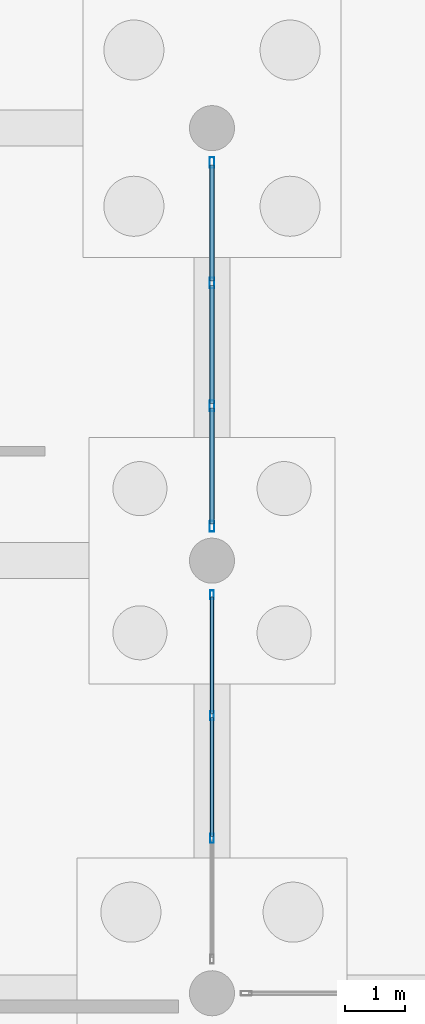
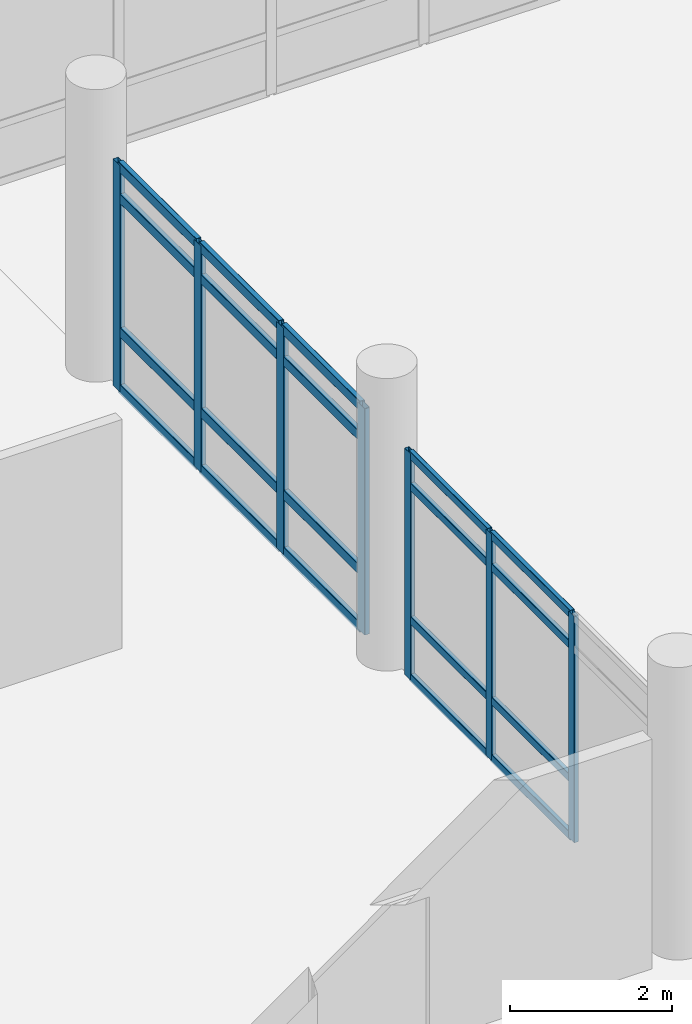
# One storey, part 99 of 196: 27 members, 2 elements without a shape of their own.
"""IFC4 building model written with IfcOpenShell, lengths in metres."""

import ifcopenshell
import ifcopenshell.guid

model = None  # the IFC model being written
_history = None  # IfcOwnerHistory: only IFC2X3 demands one
_inside = {}  # id of a spatial element -> (the spatial element, [elements in it])
_under = {}  # id of a project, library or spatial element -> (it, [spatial elements below it])
_declared = {}  # id of a project -> (the project, [libraries it declares])
_typed = {}  # id of a type object -> (the type object, [elements of that type])
_made_of = {}  # id of a material, layer set ... -> (it, [elements and type objects made of it])


def new_model(schema):
    """Start an empty IFC model of exactly this schema.

    Asked for "IFC4X3", IfcOpenShell would pick the latest addendum, in which some entities
    have other attributes; the version numbers below select the first issue.
    IFC2X3 requires an IfcOwnerHistory on every rooted entity: one is made here for all.
    """
    global model, _history
    if schema == "IFC4X3":
        model = ifcopenshell.file(schema_version=(4, 3, 0, 0))
    else:
        model = ifcopenshell.file(schema=schema)
    _inside.clear()
    _under.clear()
    _declared.clear()
    _typed.clear()
    _made_of.clear()
    _history = None
    if model.schema == "IFC2X3":
        org = make("IfcOrganization", Name="unknown")
        user = make(
            "IfcPersonAndOrganization",
            ThePerson=make("IfcPerson", FamilyName="unknown"),
            TheOrganization=org,
        )
        app = make(
            "IfcApplication",
            ApplicationDeveloper=org,
            Version="unknown",
            ApplicationFullName="unknown",
            ApplicationIdentifier="unknown",
        )
        _history = make(
            "IfcOwnerHistory",
            OwningUser=user,
            OwningApplication=app,
            ChangeAction="ADDED",
            CreationDate=0,
        )
    return model


def make(cls, **values):
    """One entity of the class cls with the attributes given. An attribute that is None is left unset."""
    return model.create_entity(
        cls, **{name: value for name, value in values.items() if value is not None}
    )


def rooted(cls, **values):
    """An entity with a GlobalId (a new one), such as an element, a storey or a relation."""
    return make(cls, GlobalId=ifcopenshell.guid.new(), OwnerHistory=_history, **values)


def si_unit(unit_type, name, prefix=None):
    """IfcSIUnit, for example si_unit("LENGTHUNIT", "METRE", prefix="MILLI")."""
    return make("IfcSIUnit", UnitType=unit_type, Prefix=prefix, Name=name)


def assignment(units):
    """IfcUnitAssignment: the units of a project."""
    return None if units is None else make("IfcUnitAssignment", Units=units)


def point(xyz):
    """IfcCartesianPoint."""
    return None if xyz is None else make("IfcCartesianPoint", Coordinates=xyz)


def direction(xyz):
    """IfcDirection."""
    return None if xyz is None else make("IfcDirection", DirectionRatios=xyz)


def frame(location, z_axis=None, x_axis=None):
    """IfcAxis2Placement3D, a coordinate frame: its origin and axes. An axis left out is left unset."""
    return make(
        "IfcAxis2Placement3D",
        Location=point(location),
        Axis=direction(z_axis),
        RefDirection=direction(x_axis),
    )


def frame_2d(location, x_axis=None):
    """IfcAxis2Placement2D, a coordinate frame in the plane: its origin and x axis."""
    return make(
        "IfcAxis2Placement2D", Location=point(location), RefDirection=direction(x_axis)
    )


def origin():
    """The frame at (0, 0, 0) with its axes left unset."""
    return frame((0.0, 0.0, 0.0))


def origin_2d():
    """The frame at (0, 0) in the plane with its x axis left unset."""
    return frame_2d((0.0, 0.0))


def place(relative_to, where):
    """IfcLocalPlacement: puts the frame where relative to a parent placement (None: the world)."""
    return make(
        "IfcLocalPlacement", PlacementRelTo=relative_to, RelativePlacement=where
    )


def context(
    kind, dimensions, precision=None, world=None, true_north=None, identifier=None
):
    """IfcGeometricRepresentationContext, for example the 3D "Model" context."""
    return make(
        "IfcGeometricRepresentationContext",
        ContextIdentifier=identifier,
        ContextType=kind,
        CoordinateSpaceDimension=dimensions,
        Precision=precision,
        WorldCoordinateSystem=world,
        TrueNorth=true_north,
    )


def subcontext(parent, identifier, kind, view, scale=None):
    """IfcGeometricRepresentationSubContext, for example "Body" below "Model"."""
    return make(
        "IfcGeometricRepresentationSubContext",
        ContextIdentifier=identifier,
        ContextType=kind,
        ParentContext=parent,
        TargetScale=scale,
        TargetView=view,
    )


def project(units=None, contexts=None):
    """IfcProject with its units and contexts."""
    return rooted(
        "IfcProject",
        Name="project",
        RepresentationContexts=contexts,
        UnitsInContext=assignment(units),
    )


def spatial(cls, under=None, at=None, **own):
    """A site, building, storey or space (cls), placed at a placement, below another one or the project."""
    s = rooted(cls, ObjectPlacement=at, **own)
    if under is not None:
        _under.setdefault(under.id(), (under, []))[1].append(s)
    return s


def profile(cls, at=None, kind="AREA", **sizes):
    """A parametric profile (cls). Its sizes go by their IFC names, for example OverallWidth=200.0."""
    return make(cls, ProfileType=kind, Position=at, **sizes)


def hollow_rectangle(**sizes):
    """IfcRectangleHollowProfileDef."""
    return profile("IfcRectangleHollowProfileDef", **sizes)


def extrude(swept, where, along, depth):
    """IfcExtrudedAreaSolid: the profile swept, set in the frame where, extruded along a direction by depth."""
    return make(
        "IfcExtrudedAreaSolid",
        SweptArea=swept,
        Position=where,
        ExtrudedDirection=direction(along),
        Depth=depth,
    )


def shape(context_of_items, identifier, shape_type, items):
    """IfcShapeRepresentation: the items that make up one representation, for example the "Body"."""
    return make(
        "IfcShapeRepresentation",
        ContextOfItems=context_of_items,
        RepresentationIdentifier=identifier,
        RepresentationType=shape_type,
        Items=items,
    )


def material(Name=None, Category=None):
    """IfcMaterial."""
    return make("IfcMaterial", Name=Name, Category=Category)


def layer(
    of_material, thickness, ventilated=None, Name=None, Category=None, Priority=None
):
    """IfcMaterialLayer: one layer of a wall or slab, of a material (None: an air gap)."""
    return make(
        "IfcMaterialLayer",
        Material=of_material,
        LayerThickness=thickness,
        IsVentilated=ventilated,
        Name=Name,
        Category=Category,
        Priority=Priority,
    )


def layer_set(layers, Name=None):
    """IfcMaterialLayerSet."""
    return make("IfcMaterialLayerSet", MaterialLayers=layers, LayerSetName=Name)


def material_profile(
    of_material, cross_section, Name=None, Category=None, Priority=None
):
    """IfcMaterialProfile: a cross section and its material."""
    return make(
        "IfcMaterialProfile",
        Name=Name,
        Material=of_material,
        Profile=cross_section,
        Priority=Priority,
        Category=Category,
    )


def profile_set(profiles, Name=None, composite=None):
    """IfcMaterialProfileSet."""
    return make(
        "IfcMaterialProfileSet",
        Name=Name,
        MaterialProfiles=profiles,
        CompositeProfile=composite,
    )


def made_of(thing, what):
    """Note that an element or type object is made of a material, layer set ...; save() writes the relation."""
    if what is not None:
        _made_of.setdefault(what.id(), (what, []))[1].append(thing)
    return thing


def type_object(cls, material=None, **own):
    """A type object (cls), such as IfcWallType, which elements share."""
    return made_of(rooted(cls, **own), material)


def element(
    cls,
    number,
    at=None,
    inside=None,
    cuts=None,
    type_object=None,
    material=None,
    context=None,
    identifier="Body",
    shape_type=None,
    held_by="IfcProductDefinitionShape",
    body=None,
    shapes=None,
    **own,
):
    """One element of the class cls, such as IfcWall. Its Tag is "e" and its number.

    at: its placement. inside: the storey or other place that contains it. cuts: it is an
    opening in that element (IfcRelVoidsElement). A single representation is given by context,
    identifier, shape_type and body (its items); several are given by shapes. held_by: the class
    of the entity that holds the representations. save() writes the other relations.
    """
    e = rooted(cls, Tag="e%d" % number, ObjectPlacement=at, **own)
    if body is not None:
        shapes = [shape(context, identifier, shape_type, body)]
    if shapes is not None:
        e.Representation = make(held_by, Representations=shapes)
    if inside is not None:
        _inside.setdefault(inside.id(), (inside, []))[1].append(e)
    if cuts is not None:
        rooted(
            "IfcRelVoidsElement", RelatingBuildingElement=cuts, RelatedOpeningElement=e
        )
    if type_object is not None:
        _typed.setdefault(type_object.id(), (type_object, []))[1].append(e)
    return made_of(e, material)


def aggregate(whole, parts):
    """IfcRelAggregates: a whole, such as a stair, and the parts it consists of."""
    return rooted("IfcRelAggregates", RelatingObject=whole, RelatedObjects=parts)


def save(model, path):
    """Write the relations noted so far, then the file.

    IfcRelAggregates (storeys below a building ...), IfcRelContainedInSpatialStructure (elements
    in a storey), IfcRelDefinesByType, IfcRelAssociatesMaterial and IfcRelDeclares: one each for
    every whole, place, type object, material and project.
    """
    for whole, parts in _under.values():
        aggregate(whole, parts)
    for where, things in _inside.values():
        rooted(
            "IfcRelContainedInSpatialStructure",
            RelatedElements=things,
            RelatingStructure=where,
        )
    for kind, things in _typed.values():
        rooted("IfcRelDefinesByType", RelatedObjects=things, RelatingType=kind)
    for what, things in _made_of.values():
        rooted("IfcRelAssociatesMaterial", RelatedObjects=things, RelatingMaterial=what)
    for by, libraries in _declared.values():
        rooted("IfcRelDeclares", RelatingContext=by, RelatedDefinitions=libraries)
    model.write(path)


model = new_model("IFC4")

# Units and contexts
model_context = context("Model", 3, precision=1e-05, world=origin(), true_north=direction((0.0, 1.0)))
body_context = subcontext(model_context, "Body", "Model", "MODEL_VIEW")
ifc_project = project(units=[si_unit("LENGTHUNIT", "METRE"), si_unit("AREAUNIT", "SQUARE_METRE"), si_unit("VOLUMEUNIT", "CUBIC_METRE"), si_unit("PLANEANGLEUNIT", "RADIAN"), si_unit("MASSUNIT", "GRAM", prefix="KILO")], contexts=[model_context])

# Site, building, storey
site_placement = place(None, origin())
site = spatial("IfcSite", under=ifc_project, at=site_placement, CompositionType="ELEMENT")
building_placement = place(site_placement, origin())
building = spatial("IfcBuilding", under=site, at=building_placement, Name="Asteropetra Specialist Clinic", CompositionType="ELEMENT")
storey_placement = place(building_placement, origin())
storey = spatial("IfcBuildingStorey", under=building, at=storey_placement, Name="L00", CompositionType="ELEMENT", Elevation=0.0)

# Curtain wall, members
ifc_material_1 = material(Name="Aluminium and low-E glass", Category="aluminium")
ifc_layer_1 = layer(ifc_material_1, 0.14990234375)
ifc_layer_set_1 = layer_set([ifc_layer_1], Name="Aluminium and low-E glass")
curtain_wall_type_1 = type_object("IfcCurtainWallType", Name="CW-SYS-05", PredefinedType="USERDEFINED", material=ifc_layer_set_1)
curtain_wall_1_placement = place(storey_placement, origin())
curtain_wall_1 = element("IfcCurtainWall", 1, at=curtain_wall_1_placement, inside=storey, type_object=curtain_wall_type_1, Name="Curtain Wall CW-013", ObjectType="UNITISED CURTAIN WALL", PredefinedType="USERDEFINED")
ifc_material_2 = material(Name="Aluminium 6063-T6", Category="aluminium")
ifc_material_profile_1 = material_profile(ifc_material_2, hollow_rectangle(XDim=0.06494140625, YDim=0.14990234375, WallThickness=0.00390625, InnerFilletRadius=0.00390625, OuterFilletRadius=0.008056640625, at=origin_2d()), Name="MUL 150x65x4.0")
ifc_profile_set_1 = profile_set([ifc_material_profile_1], Name="Aluminium 6063-T6")
member_type_1 = type_object("IfcMemberType", Name="CWM-150x65", PredefinedType="MULLION", material=ifc_profile_set_1)
member_1_placement = place(storey_placement, frame((48.0, 83.4326171875, 0.0), z_axis=(0.0, 0.0, 1.0), x_axis=(1.0, 0.0, 0.0)))
member_1 = element("IfcMember", 2, at=member_1_placement, type_object=member_type_1, Name="CW-013 mullion 1", PredefinedType="MULLION", context=body_context, shape_type="SweptSolid", body=[
    extrude(hollow_rectangle(XDim=0.06494140625, YDim=0.14990234375, WallThickness=0.00390625, InnerFilletRadius=0.00390625, OuterFilletRadius=0.008056640625, at=origin_2d()), origin(), (0.0, 0.0, 1.0), 3.419921875),
])
member_2_placement = place(storey_placement, frame((48.0, 81.421630859375, 0.0), z_axis=(0.0, 0.0, 1.0), x_axis=(1.0, 0.0, 0.0)))
member_2 = element("IfcMember", 3, at=member_2_placement, type_object=member_type_1, Name="CW-013 mullion 2", PredefinedType="MULLION", context=body_context, shape_type="SweptSolid", body=[
    extrude(hollow_rectangle(XDim=0.06494140625, YDim=0.14990234375, WallThickness=0.00390625, InnerFilletRadius=0.00390625, OuterFilletRadius=0.008056640625, at=origin_2d()), origin(), (0.0, 0.0, 1.0), 3.419921875),
])
member_3_placement = place(storey_placement, frame((48.0, 79.37841796875, 0.0), z_axis=(0.0, 0.0, 1.0), x_axis=(1.0, 0.0, 0.0)))
member_3 = element("IfcMember", 4, at=member_3_placement, type_object=member_type_1, Name="CW-013 mullion 3", PredefinedType="MULLION", context=body_context, shape_type="SweptSolid", body=[
    extrude(hollow_rectangle(XDim=0.06494140625, YDim=0.14990234375, WallThickness=0.00390625, InnerFilletRadius=0.00390625, OuterFilletRadius=0.008056640625, at=origin_2d()), origin(), (0.0, 0.0, 1.0), 3.419921875),
])

ifc_material_3 = material(Name="Aluminium and low-E glass", Category="aluminium")
ifc_layer_2 = layer(ifc_material_3, 0.135009765625)
ifc_layer_set_2 = layer_set([ifc_layer_2], Name="Aluminium and low-E glass")
curtain_wall_type_2 = type_object("IfcCurtainWallType", Name="CW-SYS-06", PredefinedType="USERDEFINED", material=ifc_layer_set_2)
curtain_wall_2_placement = place(storey_placement, origin())
curtain_wall_2 = element("IfcCurtainWall", 5, at=curtain_wall_2_placement, inside=storey, type_object=curtain_wall_type_2, Name="Curtain Wall CW-015", ObjectType="UNITISED CURTAIN WALL", PredefinedType="USERDEFINED")
ifc_material_4 = material(Name="Aluminium 6063-T6", Category="aluminium")
ifc_material_profile_2 = material_profile(ifc_material_4, hollow_rectangle(XDim=0.074951171875, YDim=0.179931640625, WallThickness=0.00390625, InnerFilletRadius=0.00390625, OuterFilletRadius=0.008056640625, at=origin_2d()), Name="MUL 180x75x4.0")
ifc_profile_set_2 = profile_set([ifc_material_profile_2], Name="Aluminium 6063-T6")
member_type_2 = type_object("IfcMemberType", Name="CWM-180x75", PredefinedType="MULLION", material=ifc_profile_set_2)
member_4_placement = place(storey_placement, frame((48.0, 90.62744140625, 0.0), z_axis=(0.0, 0.0, 1.0), x_axis=(1.0, 0.0, 0.0)))
member_4 = element("IfcMember", 6, at=member_4_placement, type_object=member_type_2, Name="CW-015 mullion 1", PredefinedType="MULLION", context=body_context, shape_type="SweptSolid", body=[
    extrude(hollow_rectangle(XDim=0.074951171875, YDim=0.179931640625, WallThickness=0.00390625, InnerFilletRadius=0.00390625, OuterFilletRadius=0.008056640625, at=origin_2d()), origin(), (0.0, 0.0, 1.0), 3.419921875),
])
member_5_placement = place(storey_placement, frame((48.0, 88.62158203125, 0.0), z_axis=(0.0, 0.0, 1.0), x_axis=(1.0, 0.0, 0.0)))
member_5 = element("IfcMember", 7, at=member_5_placement, type_object=member_type_2, Name="CW-015 mullion 2", PredefinedType="MULLION", context=body_context, shape_type="SweptSolid", body=[
    extrude(hollow_rectangle(XDim=0.074951171875, YDim=0.179931640625, WallThickness=0.00390625, InnerFilletRadius=0.00390625, OuterFilletRadius=0.008056640625, at=origin_2d()), origin(), (0.0, 0.0, 1.0), 3.419921875),
])
member_6_placement = place(storey_placement, frame((48.0, 86.578369140625, 0.0), z_axis=(0.0, 0.0, 1.0), x_axis=(1.0, 0.0, 0.0)))
member_6 = element("IfcMember", 8, at=member_6_placement, type_object=member_type_2, Name="CW-015 mullion 3", PredefinedType="MULLION", context=body_context, shape_type="SweptSolid", body=[
    extrude(hollow_rectangle(XDim=0.074951171875, YDim=0.179931640625, WallThickness=0.00390625, InnerFilletRadius=0.00390625, OuterFilletRadius=0.008056640625, at=origin_2d()), origin(), (0.0, 0.0, 1.0), 3.419921875),
])
member_7_placement = place(storey_placement, frame((48.0, 84.572509765625, 0.0), z_axis=(0.0, 0.0, 1.0), x_axis=(1.0, 0.0, 0.0)))
member_7 = element("IfcMember", 9, at=member_7_placement, type_object=member_type_2, Name="CW-015 mullion 4", PredefinedType="MULLION", context=body_context, shape_type="SweptSolid", body=[
    extrude(hollow_rectangle(XDim=0.074951171875, YDim=0.179931640625, WallThickness=0.00390625, InnerFilletRadius=0.00390625, OuterFilletRadius=0.008056640625, at=origin_2d()), origin(), (0.0, 0.0, 1.0), 3.419921875),
])

# Member
ifc_material_5 = material(Name="Aluminium 6063-T6", Category="aluminium")
ifc_material_profile_3 = material_profile(ifc_material_5, hollow_rectangle(XDim=0.06494140625, YDim=0.1201171875, WallThickness=0.00390625, InnerFilletRadius=0.00390625, OuterFilletRadius=0.008056640625, at=origin_2d()), Name="TRN 120x65x4.0")
ifc_profile_set_3 = profile_set([ifc_material_profile_3], Name="Aluminium 6063-T6")
member_type_3 = type_object("IfcMemberType", Name="CWT-120x65", PredefinedType="USERDEFINED", material=ifc_profile_set_3)
member_8_placement = place(storey_placement, frame((48.0, 83.39990234375, 0.032470703125), z_axis=(0.0, -1.0, 0.0), x_axis=(1.0, 0.0, 0.0)))
member_8 = element("IfcMember", 10, at=member_8_placement, type_object=member_type_3, Name="CW-013 transom 1.1", ObjectType="TRANSOM", PredefinedType="USERDEFINED", context=body_context, shape_type="SweptSolid", body=[
    extrude(hollow_rectangle(XDim=0.06494140625, YDim=0.1201171875, WallThickness=0.00390625, InnerFilletRadius=0.00390625, OuterFilletRadius=0.008056640625, at=origin_2d()), origin(), (0.0, 0.0, 1.0), 1.94580078125),
])

member_9_placement = place(storey_placement, frame((48.0, 83.39990234375, 0.89990234375), z_axis=(0.0, -1.0, 0.0), x_axis=(1.0, 0.0, 0.0)))
member_9 = element("IfcMember", 11, at=member_9_placement, type_object=member_type_3, Name="CW-013 transom 1.2", ObjectType="TRANSOM", PredefinedType="USERDEFINED", context=body_context, shape_type="SweptSolid", body=[
    extrude(hollow_rectangle(XDim=0.06494140625, YDim=0.1201171875, WallThickness=0.00390625, InnerFilletRadius=0.00390625, OuterFilletRadius=0.008056640625, at=origin_2d()), origin(), (0.0, 0.0, 1.0), 1.94580078125),
])

member_10_placement = place(storey_placement, frame((48.0, 83.39990234375, 2.919921875), z_axis=(0.0, -1.0, 0.0), x_axis=(1.0, 0.0, 0.0)))
member_10 = element("IfcMember", 12, at=member_10_placement, type_object=member_type_3, Name="CW-013 transom 1.3", ObjectType="TRANSOM", PredefinedType="USERDEFINED", context=body_context, shape_type="SweptSolid", body=[
    extrude(hollow_rectangle(XDim=0.06494140625, YDim=0.1201171875, WallThickness=0.00390625, InnerFilletRadius=0.00390625, OuterFilletRadius=0.008056640625, at=origin_2d()), origin(), (0.0, 0.0, 1.0), 1.94580078125),
])

member_11_placement = place(storey_placement, frame((48.0, 83.39990234375, 3.387451171875), z_axis=(0.0, -1.0, 0.0), x_axis=(1.0, 0.0, 0.0)))
member_11 = element("IfcMember", 13, at=member_11_placement, type_object=member_type_3, Name="CW-013 transom 1.4", ObjectType="TRANSOM", PredefinedType="USERDEFINED", context=body_context, shape_type="SweptSolid", body=[
    extrude(hollow_rectangle(XDim=0.06494140625, YDim=0.1201171875, WallThickness=0.00390625, InnerFilletRadius=0.00390625, OuterFilletRadius=0.008056640625, at=origin_2d()), origin(), (0.0, 0.0, 1.0), 1.94580078125),
])

member_12_placement = place(storey_placement, frame((48.0, 81.38916015625, 0.032470703125), z_axis=(0.0, -1.0, 0.0), x_axis=(1.0, 0.0, 0.0)))
member_12 = element("IfcMember", 14, at=member_12_placement, type_object=member_type_3, Name="CW-013 transom 2.1", ObjectType="TRANSOM", PredefinedType="USERDEFINED", context=body_context, shape_type="SweptSolid", body=[
    extrude(hollow_rectangle(XDim=0.06494140625, YDim=0.1201171875, WallThickness=0.00390625, InnerFilletRadius=0.00390625, OuterFilletRadius=0.008056640625, at=origin_2d()), origin(), (0.0, 0.0, 1.0), 1.978271484375),
])

member_13_placement = place(storey_placement, frame((48.0, 81.38916015625, 0.89990234375), z_axis=(0.0, -1.0, 0.0), x_axis=(1.0, 0.0, 0.0)))
member_13 = element("IfcMember", 15, at=member_13_placement, type_object=member_type_3, Name="CW-013 transom 2.2", ObjectType="TRANSOM", PredefinedType="USERDEFINED", context=body_context, shape_type="SweptSolid", body=[
    extrude(hollow_rectangle(XDim=0.06494140625, YDim=0.1201171875, WallThickness=0.00390625, InnerFilletRadius=0.00390625, OuterFilletRadius=0.008056640625, at=origin_2d()), origin(), (0.0, 0.0, 1.0), 1.978271484375),
])

member_14_placement = place(storey_placement, frame((48.0, 81.38916015625, 2.919921875), z_axis=(0.0, -1.0, 0.0), x_axis=(1.0, 0.0, 0.0)))
member_14 = element("IfcMember", 16, at=member_14_placement, type_object=member_type_3, Name="CW-013 transom 2.3", ObjectType="TRANSOM", PredefinedType="USERDEFINED", context=body_context, shape_type="SweptSolid", body=[
    extrude(hollow_rectangle(XDim=0.06494140625, YDim=0.1201171875, WallThickness=0.00390625, InnerFilletRadius=0.00390625, OuterFilletRadius=0.008056640625, at=origin_2d()), origin(), (0.0, 0.0, 1.0), 1.978271484375),
])

member_15_placement = place(storey_placement, frame((48.0, 81.38916015625, 3.387451171875), z_axis=(0.0, -1.0, 0.0), x_axis=(1.0, 0.0, 0.0)))
member_15 = element("IfcMember", 17, at=member_15_placement, type_object=member_type_3, Name="CW-013 transom 2.4", ObjectType="TRANSOM", PredefinedType="USERDEFINED", context=body_context, shape_type="SweptSolid", body=[
    extrude(hollow_rectangle(XDim=0.06494140625, YDim=0.1201171875, WallThickness=0.00390625, InnerFilletRadius=0.00390625, OuterFilletRadius=0.008056640625, at=origin_2d()), origin(), (0.0, 0.0, 1.0), 1.978271484375),
])

aggregate(curtain_wall_1, [member_1, member_2, member_3, member_8, member_9, member_10, member_11, member_12, member_13, member_14, member_15])

ifc_material_6 = material(Name="Aluminium 6063-T6", Category="aluminium")
ifc_material_profile_4 = material_profile(ifc_material_6, hollow_rectangle(XDim=0.074951171875, YDim=0.14990234375, WallThickness=0.00390625, InnerFilletRadius=0.00390625, OuterFilletRadius=0.008056640625, at=origin_2d()), Name="TRN 150x75x4.0")
ifc_profile_set_4 = profile_set([ifc_material_profile_4], Name="Aluminium 6063-T6")
member_type_4 = type_object("IfcMemberType", Name="CWT-150x75", PredefinedType="USERDEFINED", material=ifc_profile_set_4)
member_16_placement = place(storey_placement, frame((48.0, 90.590087890625, 0.03759765625), z_axis=(0.0, -1.0, 0.0), x_axis=(1.0, 0.0, 0.0)))
member_16 = element("IfcMember", 18, at=member_16_placement, type_object=member_type_4, Name="CW-015 transom 1.1", ObjectType="TRANSOM", PredefinedType="USERDEFINED", context=body_context, shape_type="SweptSolid", body=[
    extrude(hollow_rectangle(XDim=0.074951171875, YDim=0.14990234375, WallThickness=0.00390625, InnerFilletRadius=0.00390625, OuterFilletRadius=0.008056640625, at=origin_2d()), origin(), (0.0, 0.0, 1.0), 1.930908203125),
])

member_17_placement = place(storey_placement, frame((48.0, 90.590087890625, 0.89990234375), z_axis=(0.0, -1.0, 0.0), x_axis=(1.0, 0.0, 0.0)))
member_17 = element("IfcMember", 19, at=member_17_placement, type_object=member_type_4, Name="CW-015 transom 1.2", ObjectType="TRANSOM", PredefinedType="USERDEFINED", context=body_context, shape_type="SweptSolid", body=[
    extrude(hollow_rectangle(XDim=0.074951171875, YDim=0.14990234375, WallThickness=0.00390625, InnerFilletRadius=0.00390625, OuterFilletRadius=0.008056640625, at=origin_2d()), origin(), (0.0, 0.0, 1.0), 1.930908203125),
])

member_18_placement = place(storey_placement, frame((48.0, 90.590087890625, 2.919921875), z_axis=(0.0, -1.0, 0.0), x_axis=(1.0, 0.0, 0.0)))
member_18 = element("IfcMember", 20, at=member_18_placement, type_object=member_type_4, Name="CW-015 transom 1.3", ObjectType="TRANSOM", PredefinedType="USERDEFINED", context=body_context, shape_type="SweptSolid", body=[
    extrude(hollow_rectangle(XDim=0.074951171875, YDim=0.14990234375, WallThickness=0.00390625, InnerFilletRadius=0.00390625, OuterFilletRadius=0.008056640625, at=origin_2d()), origin(), (0.0, 0.0, 1.0), 1.930908203125),
])

member_19_placement = place(storey_placement, frame((48.0, 90.590087890625, 3.382568359375), z_axis=(0.0, -1.0, 0.0), x_axis=(1.0, 0.0, 0.0)))
member_19 = element("IfcMember", 21, at=member_19_placement, type_object=member_type_4, Name="CW-015 transom 1.4", ObjectType="TRANSOM", PredefinedType="USERDEFINED", context=body_context, shape_type="SweptSolid", body=[
    extrude(hollow_rectangle(XDim=0.074951171875, YDim=0.14990234375, WallThickness=0.00390625, InnerFilletRadius=0.00390625, OuterFilletRadius=0.008056640625, at=origin_2d()), origin(), (0.0, 0.0, 1.0), 1.930908203125),
])

member_20_placement = place(storey_placement, frame((48.0, 88.584228515625, 0.03759765625), z_axis=(0.0, -1.0, 0.0), x_axis=(1.0, 0.0, 0.0)))
member_20 = element("IfcMember", 22, at=member_20_placement, type_object=member_type_4, Name="CW-015 transom 2.1", ObjectType="TRANSOM", PredefinedType="USERDEFINED", context=body_context, shape_type="SweptSolid", body=[
    extrude(hollow_rectangle(XDim=0.074951171875, YDim=0.14990234375, WallThickness=0.00390625, InnerFilletRadius=0.00390625, OuterFilletRadius=0.008056640625, at=origin_2d()), origin(), (0.0, 0.0, 1.0), 1.968505859375),
])

member_21_placement = place(storey_placement, frame((48.0, 88.584228515625, 0.89990234375), z_axis=(0.0, -1.0, 0.0), x_axis=(1.0, 0.0, 0.0)))
member_21 = element("IfcMember", 23, at=member_21_placement, type_object=member_type_4, Name="CW-015 transom 2.2", ObjectType="TRANSOM", PredefinedType="USERDEFINED", context=body_context, shape_type="SweptSolid", body=[
    extrude(hollow_rectangle(XDim=0.074951171875, YDim=0.14990234375, WallThickness=0.00390625, InnerFilletRadius=0.00390625, OuterFilletRadius=0.008056640625, at=origin_2d()), origin(), (0.0, 0.0, 1.0), 1.968505859375),
])

member_22_placement = place(storey_placement, frame((48.0, 88.584228515625, 2.919921875), z_axis=(0.0, -1.0, 0.0), x_axis=(1.0, 0.0, 0.0)))
member_22 = element("IfcMember", 24, at=member_22_placement, type_object=member_type_4, Name="CW-015 transom 2.3", ObjectType="TRANSOM", PredefinedType="USERDEFINED", context=body_context, shape_type="SweptSolid", body=[
    extrude(hollow_rectangle(XDim=0.074951171875, YDim=0.14990234375, WallThickness=0.00390625, InnerFilletRadius=0.00390625, OuterFilletRadius=0.008056640625, at=origin_2d()), origin(), (0.0, 0.0, 1.0), 1.968505859375),
])

member_23_placement = place(storey_placement, frame((48.0, 88.584228515625, 3.382568359375), z_axis=(0.0, -1.0, 0.0), x_axis=(1.0, 0.0, 0.0)))
member_23 = element("IfcMember", 25, at=member_23_placement, type_object=member_type_4, Name="CW-015 transom 2.4", ObjectType="TRANSOM", PredefinedType="USERDEFINED", context=body_context, shape_type="SweptSolid", body=[
    extrude(hollow_rectangle(XDim=0.074951171875, YDim=0.14990234375, WallThickness=0.00390625, InnerFilletRadius=0.00390625, OuterFilletRadius=0.008056640625, at=origin_2d()), origin(), (0.0, 0.0, 1.0), 1.968505859375),
])

member_24_placement = place(storey_placement, frame((48.0, 86.540771484375, 0.03759765625), z_axis=(0.0, -1.0, 0.0), x_axis=(1.0, 0.0, 0.0)))
member_24 = element("IfcMember", 26, at=member_24_placement, type_object=member_type_4, Name="CW-015 transom 3.1", ObjectType="TRANSOM", PredefinedType="USERDEFINED", context=body_context, shape_type="SweptSolid", body=[
    extrude(hollow_rectangle(XDim=0.074951171875, YDim=0.14990234375, WallThickness=0.00390625, InnerFilletRadius=0.00390625, OuterFilletRadius=0.008056640625, at=origin_2d()), origin(), (0.0, 0.0, 1.0), 1.9306640625),
])

member_25_placement = place(storey_placement, frame((48.0, 86.540771484375, 0.89990234375), z_axis=(0.0, -1.0, 0.0), x_axis=(1.0, 0.0, 0.0)))
member_25 = element("IfcMember", 27, at=member_25_placement, type_object=member_type_4, Name="CW-015 transom 3.2", ObjectType="TRANSOM", PredefinedType="USERDEFINED", context=body_context, shape_type="SweptSolid", body=[
    extrude(hollow_rectangle(XDim=0.074951171875, YDim=0.14990234375, WallThickness=0.00390625, InnerFilletRadius=0.00390625, OuterFilletRadius=0.008056640625, at=origin_2d()), origin(), (0.0, 0.0, 1.0), 1.9306640625),
])

member_26_placement = place(storey_placement, frame((48.0, 86.540771484375, 2.919921875), z_axis=(0.0, -1.0, 0.0), x_axis=(1.0, 0.0, 0.0)))
member_26 = element("IfcMember", 28, at=member_26_placement, type_object=member_type_4, Name="CW-015 transom 3.3", ObjectType="TRANSOM", PredefinedType="USERDEFINED", context=body_context, shape_type="SweptSolid", body=[
    extrude(hollow_rectangle(XDim=0.074951171875, YDim=0.14990234375, WallThickness=0.00390625, InnerFilletRadius=0.00390625, OuterFilletRadius=0.008056640625, at=origin_2d()), origin(), (0.0, 0.0, 1.0), 1.9306640625),
])

member_27_placement = place(storey_placement, frame((48.0, 86.540771484375, 3.382568359375), z_axis=(0.0, -1.0, 0.0), x_axis=(1.0, 0.0, 0.0)))
member_27 = element("IfcMember", 29, at=member_27_placement, type_object=member_type_4, Name="CW-015 transom 3.4", ObjectType="TRANSOM", PredefinedType="USERDEFINED", context=body_context, shape_type="SweptSolid", body=[
    extrude(hollow_rectangle(XDim=0.074951171875, YDim=0.14990234375, WallThickness=0.00390625, InnerFilletRadius=0.00390625, OuterFilletRadius=0.008056640625, at=origin_2d()), origin(), (0.0, 0.0, 1.0), 1.9306640625),
])

aggregate(curtain_wall_2, [member_4, member_5, member_6, member_7, member_16, member_17, member_18, member_19, member_20, member_21, member_22, member_23, member_24, member_25, member_26, member_27])

save(model, "model.ifc")
